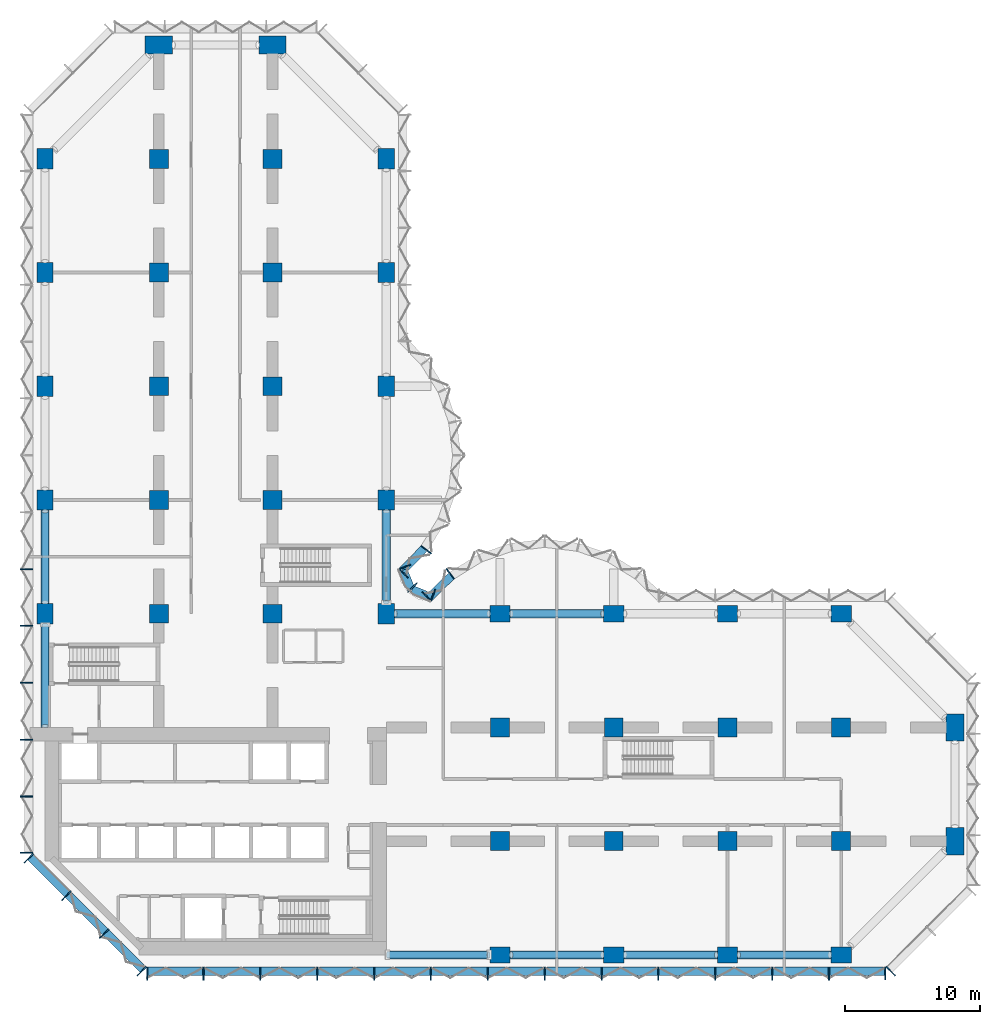
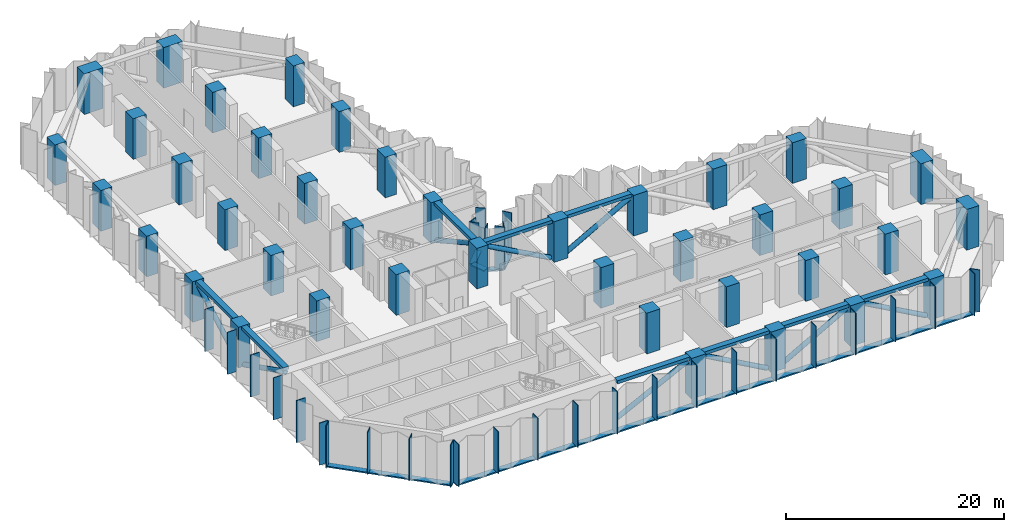
# One storey, part 1 of 18: 47 members, 40 columns, 9 beams, 7 elements without a shape of their own.
"""IFC4 building model written with IfcOpenShell, lengths in metres."""

from ifc_helpers import new_model, si_unit, direction, frame, origin, origin_2d, place, context, subcontext, project, spatial, rectangle, hollow_circle, extrude, material, material_profile, profile_set, type_object, element, aggregate, save


model = new_model("IFC4")

# Units and contexts
model_context = context("Model", 3, precision=1e-05, world=origin(), true_north=direction((0.0, 1.0)))
body_context = subcontext(model_context, "Body", "Model", "MODEL_VIEW")
ifc_project = project(units=[si_unit("LENGTHUNIT", "METRE"), si_unit("AREAUNIT", "SQUARE_METRE"), si_unit("VOLUMEUNIT", "CUBIC_METRE"), si_unit("PLANEANGLEUNIT", "RADIAN"), si_unit("MASSUNIT", "GRAM", prefix="KILO")], contexts=[model_context])

# Site, building, storey
site_placement = place(None, origin())
site = spatial("IfcSite", under=ifc_project, at=site_placement, CompositionType="ELEMENT")
building_placement = place(site_placement, origin())
building = spatial("IfcBuilding", under=site, at=building_placement, Name="Brevane Broadcast Tower", CompositionType="ELEMENT")
storey_placement = place(building_placement, frame((0.0, 0.0, 86.89990234375)))
storey = spatial("IfcBuildingStorey", under=building, at=storey_placement, Name="L20", CompositionType="ELEMENT", Elevation=86.89990234375)

# Columns
ifc_material_1 = material(Name="Concrete C80/95", Category="concrete")
ifc_material_profile_1 = material_profile(ifc_material_1, rectangle(XDim=1.199951171875, YDim=1.5, at=origin_2d()), Name="RC 1200x1500")
ifc_profile_set_1 = profile_set([ifc_material_profile_1], Name="Concrete C80/95")
column_type_1 = type_object("IfcColumnType", Name="RC COLUMN EDGE 1200x1500 C80/95", PredefinedType="COLUMN", material=ifc_profile_set_1)
for number, where, z_axis, x_axis, name in (
    (1, (0.0, 25.199951171875, 0.0), (0.0, 0.0, 1.0), (1.0, 0.0, 0.0), "CE5 1/D"),
    (2, (0.0, 33.60009765625, 0.0), (0.0, 0.0, 1.0), (1.0, 0.0, 0.0), "CE5 1/E"),
    (3, (0.0, 42.0, 0.0), (0.0, 0.0, 1.0), (1.0, 0.0, 0.0), "CE5 1/F"),
    (4, (0.0, 50.39990234375, 0.0), (0.0, 0.0, 1.0), (1.0, 0.0, 0.0), "CE5 1/G"),
    (5, (0.0, 58.800048828125, 0.0), (0.0, 0.0, 1.0), (1.0, 0.0, 0.0), "CE5 1/H"),
    (6, (25.199951171875, 25.199951171875, 0.0), (0.0, 0.0, 1.0), (1.0, 0.0, 0.0), "CE5 4/D"),
    (7, (25.199951171875, 33.60009765625, 0.0), (0.0, 0.0, 1.0), (1.0, 0.0, 0.0), "CE5 4/E"),
    (8, (25.199951171875, 42.0, 0.0), (0.0, 0.0, 1.0), (1.0, 0.0, 0.0), "CE5 4/F"),
    (9, (25.199951171875, 50.39990234375, 0.0), (0.0, 0.0, 1.0), (1.0, 0.0, 0.0), "CE5 4/G"),
    (10, (25.199951171875, 58.800048828125, 0.0), (0.0, 0.0, 1.0), (1.0, 0.0, 0.0), "CE5 4/H"),
    (11, (33.60009765625, 0.0, 0.0), (0.0, 0.0, 1.0), (0.0, 1.0, 0.0), "CE5 5/A"),
    (12, (33.60009765625, 25.199951171875, 0.0), (0.0, 0.0, 1.0), (0.0, 1.0, 0.0), "CE5 5/D"),
    (13, (42.0, 0.0, 0.0), (0.0, 0.0, 1.0), (0.0, 1.0, 0.0), "CE5 6/A"),
    (14, (42.0, 25.199951171875, 0.0), (0.0, 0.0, 1.0), (0.0, 1.0, 0.0), "CE5 6/D"),
    (15, (50.39990234375, 0.0, 0.0), (0.0, 0.0, 1.0), (0.0, 1.0, 0.0), "CE5 7/A"),
    (16, (50.39990234375, 25.199951171875, 0.0), (0.0, 0.0, 1.0), (0.0, 1.0, 0.0), "CE5 7/D"),
    (17, (58.800048828125, 0.0, 0.0), (0.0, 0.0, 1.0), (0.0, 1.0, 0.0), "CE5 8/A"),
    (18, (58.800048828125, 25.199951171875, 0.0), (0.0, 0.0, 1.0), (0.0, 1.0, 0.0), "CE5 8/D"),
):
    element("IfcColumn", number, at=place(storey_placement, frame(where, z_axis=z_axis, x_axis=x_axis)), inside=storey, type_object=column_type_1, Name=name, PredefinedType="COLUMN", context=body_context, shape_type="SweptSolid", body=[
        extrude(rectangle(XDim=1.199951171875, YDim=1.5, at=origin_2d()), origin(), (0.0, 0.0, 1.0), 4.550048828125),
    ])
ifc_material_profile_2 = material_profile(ifc_material_1, rectangle(XDim=1.39990234375, YDim=1.39990234375, at=origin_2d()), Name="RC 1400x1400")
ifc_profile_set_2 = profile_set([ifc_material_profile_2], Name="Concrete C80/95")
column_type_2 = type_object("IfcColumnType", Name="RC COLUMN INTERIOR 1400x1400 C80/95", PredefinedType="COLUMN", material=ifc_profile_set_2)
for number, where, z_axis, x_axis, name in (
    (19, (8.39990234375, 25.199951171875, 0.0), (0.0, 0.0, 1.0), (1.0, 0.0, 0.0), "CI6 2/D"),
    (20, (8.39990234375, 33.60009765625, 0.0), (0.0, 0.0, 1.0), (1.0, 0.0, 0.0), "CI6 2/E"),
    (21, (8.39990234375, 42.0, 0.0), (0.0, 0.0, 1.0), (1.0, 0.0, 0.0), "CI6 2/F"),
    (22, (8.39990234375, 50.39990234375, 0.0), (0.0, 0.0, 1.0), (1.0, 0.0, 0.0), "CI6 2/G"),
    (23, (8.39990234375, 58.800048828125, 0.0), (0.0, 0.0, 1.0), (1.0, 0.0, 0.0), "CI6 2/H"),
    (24, (16.800048828125, 25.199951171875, 0.0), (0.0, 0.0, 1.0), (1.0, 0.0, 0.0), "CI6 3/D"),
    (25, (16.800048828125, 33.60009765625, 0.0), (0.0, 0.0, 1.0), (1.0, 0.0, 0.0), "CI6 3/E"),
    (26, (16.800048828125, 42.0, 0.0), (0.0, 0.0, 1.0), (1.0, 0.0, 0.0), "CI6 3/F"),
    (27, (16.800048828125, 50.39990234375, 0.0), (0.0, 0.0, 1.0), (1.0, 0.0, 0.0), "CI6 3/G"),
    (28, (16.800048828125, 58.800048828125, 0.0), (0.0, 0.0, 1.0), (1.0, 0.0, 0.0), "CI6 3/H"),
    (29, (33.60009765625, 8.39990234375, 0.0), (0.0, 0.0, 1.0), (1.0, 0.0, 0.0), "CI6 5/B"),
    (30, (33.60009765625, 16.800048828125, 0.0), (0.0, 0.0, 1.0), (1.0, 0.0, 0.0), "CI6 5/C"),
    (31, (42.0, 8.39990234375, 0.0), (0.0, 0.0, 1.0), (1.0, 0.0, 0.0), "CI6 6/B"),
    (32, (42.0, 16.800048828125, 0.0), (0.0, 0.0, 1.0), (1.0, 0.0, 0.0), "CI6 6/C"),
    (33, (50.39990234375, 8.39990234375, 0.0), (0.0, 0.0, 1.0), (1.0, 0.0, 0.0), "CI6 7/B"),
    (34, (50.39990234375, 16.800048828125, 0.0), (0.0, 0.0, 1.0), (1.0, 0.0, 0.0), "CI6 7/C"),
    (35, (58.800048828125, 8.39990234375, 0.0), (0.0, 0.0, 1.0), (1.0, 0.0, 0.0), "CI6 8/B"),
    (36, (58.800048828125, 16.800048828125, 0.0), (0.0, 0.0, 1.0), (1.0, 0.0, 0.0), "CI6 8/C"),
):
    element("IfcColumn", number, at=place(storey_placement, frame(where, z_axis=z_axis, x_axis=x_axis)), inside=storey, type_object=column_type_2, Name=name, PredefinedType="COLUMN", context=body_context, shape_type="SweptSolid", body=[
        extrude(rectangle(XDim=1.39990234375, YDim=1.39990234375, at=origin_2d()), origin(), (0.0, 0.0, 1.0), 4.550048828125),
    ])
ifc_material_profile_3 = material_profile(ifc_material_1, rectangle(XDim=1.300048828125, YDim=2.0, at=origin_2d()), Name="RC 1300x2000")
ifc_profile_set_3 = profile_set([ifc_material_profile_3], Name="Concrete C80/95")
column_type_3 = type_object("IfcColumnType", Name="RC COLUMN WING-END 1300x2000 C80/95", PredefinedType="COLUMN", material=ifc_profile_set_3)
for number, where, z_axis, x_axis, name in (
    (37, (8.39990234375, 67.199951171875, 0.0), (0.0, 0.0, 1.0), (0.0, 1.0, 0.0), "CW7 2/I"),
    (38, (16.800048828125, 67.199951171875, 0.0), (0.0, 0.0, 1.0), (0.0, 1.0, 0.0), "CW7 3/I"),
    (39, (67.199951171875, 8.39990234375, 0.0), (0.0, 0.0, 1.0), (1.0, 0.0, 0.0), "CW7 9/B"),
    (40, (67.199951171875, 16.800048828125, 0.0), (0.0, 0.0, 1.0), (1.0, 0.0, 0.0), "CW7 9/C"),
):
    element("IfcColumn", number, at=place(storey_placement, frame(where, z_axis=z_axis, x_axis=x_axis)), inside=storey, type_object=column_type_3, Name=name, PredefinedType="COLUMN", context=body_context, shape_type="SweptSolid", body=[
        extrude(rectangle(XDim=1.300048828125, YDim=2.0, at=origin_2d()), origin(), (0.0, 0.0, 1.0), 4.550048828125),
    ])

# Curtain wall, members
ifc_material_2 = material(Name="Aluminium 6063-T6 bronze anodised", Category="aluminium")
curtain_wall_type = type_object("IfcCurtainWallType", Name="CW-3 curtain wall", PredefinedType="NOTDEFINED", material=ifc_material_2)
curtain_wall_1_placement = place(storey_placement, origin())
curtain_wall_1 = element("IfcCurtainWall", 41, at=curtain_wall_1_placement, inside=storey, type_object=curtain_wall_type, Name="CW-3 refuge louvre unit L20 south face", PredefinedType="NOTDEFINED")
ifc_material_profile_4 = material_profile(ifc_material_2, rectangle(XDim=0.949951171875, YDim=0.080078125, at=origin_2d()), Name="RECT 80x950")
ifc_profile_set_4 = profile_set([ifc_material_profile_4], Name="Aluminium 6063-T6 bronze anodised")
member_type_1 = type_object("IfcMemberType", Name="CW-3 mullion 80x950", PredefinedType="MULLION", material=ifc_profile_set_4)
member_1_placement = place(storey_placement, frame((7.5400390625, -1.375, -0.159912109375), z_axis=(0.0, 0.0, 1.0), x_axis=(0.0, 1.0, 0.0)))
member_1 = element("IfcMember", 42, at=member_1_placement, type_object=member_type_1, Name="CW-3 mullion", PredefinedType="MULLION", context=body_context, shape_type="SweptSolid", body=[
    extrude(rectangle(XDim=0.949951171875, YDim=0.080078125, at=origin_2d()), origin(), (0.0, 0.0, 1.0), 4.7099609375),
])
member_2_placement = place(storey_placement, frame((11.699951171875, -1.375, -0.159912109375), z_axis=(0.0, 0.0, 1.0), x_axis=(0.0, 1.0, 0.0)))
member_2 = element("IfcMember", 43, at=member_2_placement, type_object=member_type_1, Name="CW-3 mullion", PredefinedType="MULLION", context=body_context, shape_type="SweptSolid", body=[
    extrude(rectangle(XDim=0.949951171875, YDim=0.080078125, at=origin_2d()), origin(), (0.0, 0.0, 1.0), 4.7099609375),
])
member_3_placement = place(storey_placement, frame((15.89990234375, -1.375, -0.159912109375), z_axis=(0.0, 0.0, 1.0), x_axis=(0.0, 1.0, 0.0)))
member_3 = element("IfcMember", 44, at=member_3_placement, type_object=member_type_1, Name="CW-3 mullion", PredefinedType="MULLION", context=body_context, shape_type="SweptSolid", body=[
    extrude(rectangle(XDim=0.949951171875, YDim=0.080078125, at=origin_2d()), origin(), (0.0, 0.0, 1.0), 4.7099609375),
])
member_4_placement = place(storey_placement, frame((20.10009765625, -1.375, -0.159912109375), z_axis=(0.0, 0.0, 1.0), x_axis=(0.0, 1.0, 0.0)))
member_4 = element("IfcMember", 45, at=member_4_placement, type_object=member_type_1, Name="CW-3 mullion", PredefinedType="MULLION", context=body_context, shape_type="SweptSolid", body=[
    extrude(rectangle(XDim=0.949951171875, YDim=0.080078125, at=origin_2d()), origin(), (0.0, 0.0, 1.0), 4.7099609375),
])
member_5_placement = place(storey_placement, frame((24.300048828125, -1.375, -0.159912109375), z_axis=(0.0, 0.0, 1.0), x_axis=(0.0, 1.0, 0.0)))
member_5 = element("IfcMember", 46, at=member_5_placement, type_object=member_type_1, Name="CW-3 mullion", PredefinedType="MULLION", context=body_context, shape_type="SweptSolid", body=[
    extrude(rectangle(XDim=0.949951171875, YDim=0.080078125, at=origin_2d()), origin(), (0.0, 0.0, 1.0), 4.7099609375),
])
member_6_placement = place(storey_placement, frame((28.5, -1.375, -0.159912109375), z_axis=(0.0, 0.0, 1.0), x_axis=(0.0, 1.0, 0.0)))
member_6 = element("IfcMember", 47, at=member_6_placement, type_object=member_type_1, Name="CW-3 mullion", PredefinedType="MULLION", context=body_context, shape_type="SweptSolid", body=[
    extrude(rectangle(XDim=0.949951171875, YDim=0.080078125, at=origin_2d()), origin(), (0.0, 0.0, 1.0), 4.7099609375),
])
member_7_placement = place(storey_placement, frame((32.699951171875, -1.375, -0.159912109375), z_axis=(0.0, 0.0, 1.0), x_axis=(0.0, 1.0, 0.0)))
member_7 = element("IfcMember", 48, at=member_7_placement, type_object=member_type_1, Name="CW-3 mullion", PredefinedType="MULLION", context=body_context, shape_type="SweptSolid", body=[
    extrude(rectangle(XDim=0.949951171875, YDim=0.080078125, at=origin_2d()), origin(), (0.0, 0.0, 1.0), 4.7099609375),
])
member_8_placement = place(storey_placement, frame((36.89990234375, -1.375, -0.159912109375), z_axis=(0.0, 0.0, 1.0), x_axis=(0.0, 1.0, 0.0)))
member_8 = element("IfcMember", 49, at=member_8_placement, type_object=member_type_1, Name="CW-3 mullion", PredefinedType="MULLION", context=body_context, shape_type="SweptSolid", body=[
    extrude(rectangle(XDim=0.949951171875, YDim=0.080078125, at=origin_2d()), origin(), (0.0, 0.0, 1.0), 4.7099609375),
])
member_9_placement = place(storey_placement, frame((41.10009765625, -1.375, -0.159912109375), z_axis=(0.0, 0.0, 1.0), x_axis=(0.0, 1.0, 0.0)))
member_9 = element("IfcMember", 50, at=member_9_placement, type_object=member_type_1, Name="CW-3 mullion", PredefinedType="MULLION", context=body_context, shape_type="SweptSolid", body=[
    extrude(rectangle(XDim=0.949951171875, YDim=0.080078125, at=origin_2d()), origin(), (0.0, 0.0, 1.0), 4.7099609375),
])
member_10_placement = place(storey_placement, frame((45.300048828125, -1.375, -0.159912109375), z_axis=(0.0, 0.0, 1.0), x_axis=(0.0, 1.0, 0.0)))
member_10 = element("IfcMember", 51, at=member_10_placement, type_object=member_type_1, Name="CW-3 mullion", PredefinedType="MULLION", context=body_context, shape_type="SweptSolid", body=[
    extrude(rectangle(XDim=0.949951171875, YDim=0.080078125, at=origin_2d()), origin(), (0.0, 0.0, 1.0), 4.7099609375),
])
member_11_placement = place(storey_placement, frame((49.5, -1.375, -0.159912109375), z_axis=(0.0, 0.0, 1.0), x_axis=(0.0, 1.0, 0.0)))
member_11 = element("IfcMember", 52, at=member_11_placement, type_object=member_type_1, Name="CW-3 mullion", PredefinedType="MULLION", context=body_context, shape_type="SweptSolid", body=[
    extrude(rectangle(XDim=0.949951171875, YDim=0.080078125, at=origin_2d()), origin(), (0.0, 0.0, 1.0), 4.7099609375),
])
member_12_placement = place(storey_placement, frame((53.699951171875, -1.375, -0.159912109375), z_axis=(0.0, 0.0, 1.0), x_axis=(0.0, 1.0, 0.0)))
member_12 = element("IfcMember", 53, at=member_12_placement, type_object=member_type_1, Name="CW-3 mullion", PredefinedType="MULLION", context=body_context, shape_type="SweptSolid", body=[
    extrude(rectangle(XDim=0.949951171875, YDim=0.080078125, at=origin_2d()), origin(), (0.0, 0.0, 1.0), 4.7099609375),
])
member_13_placement = place(storey_placement, frame((57.89990234375, -1.375, -0.159912109375), z_axis=(0.0, 0.0, 1.0), x_axis=(0.0, 1.0, 0.0)))
member_13 = element("IfcMember", 54, at=member_13_placement, type_object=member_type_1, Name="CW-3 mullion", PredefinedType="MULLION", context=body_context, shape_type="SweptSolid", body=[
    extrude(rectangle(XDim=0.949951171875, YDim=0.080078125, at=origin_2d()), origin(), (0.0, 0.0, 1.0), 4.7099609375),
])
member_14_placement = place(storey_placement, frame((62.06005859375, -1.375, -0.159912109375), z_axis=(0.0, 0.0, 1.0), x_axis=(0.0, 1.0, 0.0)))
member_14 = element("IfcMember", 55, at=member_14_placement, type_object=member_type_1, Name="CW-3 mullion", PredefinedType="MULLION", context=body_context, shape_type="SweptSolid", body=[
    extrude(rectangle(XDim=0.949951171875, YDim=0.080078125, at=origin_2d()), origin(), (0.0, 0.0, 1.0), 4.7099609375),
])

# Curtain wall, member
curtain_wall_2_placement = place(storey_placement, origin())
curtain_wall_2 = element("IfcCurtainWall", 56, at=curtain_wall_2_placement, inside=storey, type_object=curtain_wall_type, Name="CW-3 refuge louvre unit L20 south-east chamfer", PredefinedType="NOTDEFINED")
member_15_placement = place(storey_placement, frame((62.464111328125, -1.20751953125, -0.159912109375), z_axis=(0.0, 0.0, 1.0), x_axis=(-0.707106781187, 0.707106781187, 0.0)))
member_15 = element("IfcMember", 57, at=member_15_placement, type_object=member_type_1, Name="CW-3 mullion", PredefinedType="MULLION", context=body_context, shape_type="SweptSolid", body=[
    extrude(rectangle(XDim=0.949951171875, YDim=0.080078125, at=origin_2d()), origin(), (0.0, 0.0, 1.0), 4.7099609375),
])
aggregate(curtain_wall_2, [member_15])

# Curtain wall, members
curtain_wall_3_placement = place(storey_placement, origin())
curtain_wall_3 = element("IfcCurtainWall", 58, at=curtain_wall_3_placement, inside=storey, type_object=curtain_wall_type, Name="CW-3 refuge louvre unit L20 east bow", PredefinedType="NOTDEFINED")
member_16_placement = place(storey_placement, frame((29.927978515625, 28.1455078125, -0.159912109375), z_axis=(0.0, 0.0, 1.0), x_axis=(0.614769738617, -0.788706642853, 0.0)))
member_16 = element("IfcMember", 59, at=member_16_placement, type_object=member_type_1, Name="CW-3 mullion", PredefinedType="MULLION", context=body_context, shape_type="SweptSolid", body=[
    extrude(rectangle(XDim=0.949951171875, YDim=0.080078125, at=origin_2d()), origin(), (0.0, 0.0, 1.0), 4.7099609375),
])
member_17_placement = place(storey_placement, frame((28.19775390625, 26.468505859375, -0.159912109375), z_axis=(0.0, 0.0, 1.0), x_axis=(0.696811941702, -0.717253872699, 0.0)))
member_17 = element("IfcMember", 60, at=member_17_placement, type_object=member_type_1, Name="CW-3 mullion", PredefinedType="MULLION", context=body_context, shape_type="SweptSolid", body=[
    extrude(rectangle(XDim=0.949951171875, YDim=0.080078125, at=origin_2d()), origin(), (0.0, 0.0, 1.0), 4.7099609375),
])

curtain_wall_4_placement = place(storey_placement, origin())
curtain_wall_4 = element("IfcCurtainWall", 61, at=curtain_wall_4_placement, inside=storey, type_object=curtain_wall_type, Name="CW-3 refuge louvre unit L20 inner corner", PredefinedType="NOTDEFINED")
member_18_placement = place(storey_placement, frame((28.644775390625, 26.55419921875, -0.159912109375), z_axis=(0.0, 0.0, 1.0), x_axis=(-0.382683612978, -0.923879457699, 0.0)))
member_18 = element("IfcMember", 62, at=member_18_placement, type_object=member_type_1, Name="CW-3 mullion", PredefinedType="MULLION", context=body_context, shape_type="SweptSolid", body=[
    extrude(rectangle(XDim=0.949951171875, YDim=0.080078125, at=origin_2d()), origin(), (0.0, 0.0, 1.0), 4.7099609375),
])
member_19_placement = place(storey_placement, frame((27.138916015625, 27.138916015625, -0.159912109375), z_axis=(0.0, 0.0, 1.0), x_axis=(-0.707106781187, -0.707106781187, 0.0)))
member_19 = element("IfcMember", 63, at=member_19_placement, type_object=member_type_1, Name="CW-3 mullion", PredefinedType="MULLION", context=body_context, shape_type="SweptSolid", body=[
    extrude(rectangle(XDim=0.949951171875, YDim=0.080078125, at=origin_2d()), origin(), (0.0, 0.0, 1.0), 4.7099609375),
])
member_20_placement = place(storey_placement, frame((26.55419921875, 28.644775390625, -0.159912109375), z_axis=(0.0, 0.0, 1.0), x_axis=(-0.923879457699, -0.382683612978, 0.0)))
member_20 = element("IfcMember", 64, at=member_20_placement, type_object=member_type_1, Name="CW-3 mullion", PredefinedType="MULLION", context=body_context, shape_type="SweptSolid", body=[
    extrude(rectangle(XDim=0.949951171875, YDim=0.080078125, at=origin_2d()), origin(), (0.0, 0.0, 1.0), 4.7099609375),
])

curtain_wall_5_placement = place(storey_placement, origin())
curtain_wall_5 = element("IfcCurtainWall", 65, at=curtain_wall_5_placement, inside=storey, type_object=curtain_wall_type, Name="CW-3 refuge louvre unit L20 north bow", PredefinedType="NOTDEFINED")
member_21_placement = place(storey_placement, frame((26.468505859375, 28.19775390625, -0.159912109375), z_axis=(0.0, 0.0, 1.0), x_axis=(-0.717253872699, 0.696811941702, 0.0)))
member_21 = element("IfcMember", 66, at=member_21_placement, type_object=member_type_1, Name="CW-3 mullion", PredefinedType="MULLION", context=body_context, shape_type="SweptSolid", body=[
    extrude(rectangle(XDim=0.949951171875, YDim=0.080078125, at=origin_2d()), origin(), (0.0, 0.0, 1.0), 4.7099609375),
])
member_22_placement = place(storey_placement, frame((28.1455078125, 29.927978515625, -0.159912109375), z_axis=(0.0, 0.0, 1.0), x_axis=(-0.788706642853, 0.614769738617, 0.0)))
member_22 = element("IfcMember", 67, at=member_22_placement, type_object=member_type_1, Name="CW-3 mullion", PredefinedType="MULLION", context=body_context, shape_type="SweptSolid", body=[
    extrude(rectangle(XDim=0.949951171875, YDim=0.080078125, at=origin_2d()), origin(), (0.0, 0.0, 1.0), 4.7099609375),
])

curtain_wall_6_placement = place(storey_placement, origin())
curtain_wall_6 = element("IfcCurtainWall", 68, at=curtain_wall_6_placement, inside=storey, type_object=curtain_wall_type, Name="CW-3 refuge louvre unit L20 west face", PredefinedType="NOTDEFINED")
member_23_placement = place(storey_placement, frame((-1.375, 28.5, -0.159912109375), z_axis=(0.0, 0.0, 1.0), x_axis=(1.0, 0.0, 0.0)))
member_23 = element("IfcMember", 69, at=member_23_placement, type_object=member_type_1, Name="CW-3 mullion", PredefinedType="MULLION", context=body_context, shape_type="SweptSolid", body=[
    extrude(rectangle(XDim=0.949951171875, YDim=0.080078125, at=origin_2d()), origin(), (0.0, 0.0, 1.0), 4.7099609375),
])
member_24_placement = place(storey_placement, frame((-1.375, 24.300048828125, -0.159912109375), z_axis=(0.0, 0.0, 1.0), x_axis=(1.0, 0.0, 0.0)))
member_24 = element("IfcMember", 70, at=member_24_placement, type_object=member_type_1, Name="CW-3 mullion", PredefinedType="MULLION", context=body_context, shape_type="SweptSolid", body=[
    extrude(rectangle(XDim=0.949951171875, YDim=0.080078125, at=origin_2d()), origin(), (0.0, 0.0, 1.0), 4.7099609375),
])
member_25_placement = place(storey_placement, frame((-1.375, 20.10009765625, -0.159912109375), z_axis=(0.0, 0.0, 1.0), x_axis=(1.0, 0.0, 0.0)))
member_25 = element("IfcMember", 71, at=member_25_placement, type_object=member_type_1, Name="CW-3 mullion", PredefinedType="MULLION", context=body_context, shape_type="SweptSolid", body=[
    extrude(rectangle(XDim=0.949951171875, YDim=0.080078125, at=origin_2d()), origin(), (0.0, 0.0, 1.0), 4.7099609375),
])
member_26_placement = place(storey_placement, frame((-1.375, 15.89990234375, -0.159912109375), z_axis=(0.0, 0.0, 1.0), x_axis=(1.0, 0.0, 0.0)))
member_26 = element("IfcMember", 72, at=member_26_placement, type_object=member_type_1, Name="CW-3 mullion", PredefinedType="MULLION", context=body_context, shape_type="SweptSolid", body=[
    extrude(rectangle(XDim=0.949951171875, YDim=0.080078125, at=origin_2d()), origin(), (0.0, 0.0, 1.0), 4.7099609375),
])
member_27_placement = place(storey_placement, frame((-1.375, 11.699951171875, -0.159912109375), z_axis=(0.0, 0.0, 1.0), x_axis=(1.0, 0.0, 0.0)))
member_27 = element("IfcMember", 73, at=member_27_placement, type_object=member_type_1, Name="CW-3 mullion", PredefinedType="MULLION", context=body_context, shape_type="SweptSolid", body=[
    extrude(rectangle(XDim=0.949951171875, YDim=0.080078125, at=origin_2d()), origin(), (0.0, 0.0, 1.0), 4.7099609375),
])
member_28_placement = place(storey_placement, frame((-1.375, 7.5400390625, -0.159912109375), z_axis=(0.0, 0.0, 1.0), x_axis=(1.0, 0.0, 0.0)))
member_28 = element("IfcMember", 74, at=member_28_placement, type_object=member_type_1, Name="CW-3 mullion", PredefinedType="MULLION", context=body_context, shape_type="SweptSolid", body=[
    extrude(rectangle(XDim=0.949951171875, YDim=0.080078125, at=origin_2d()), origin(), (0.0, 0.0, 1.0), 4.7099609375),
])
aggregate(curtain_wall_6, [member_23, member_24, member_25, member_26, member_27, member_28])

curtain_wall_7_placement = place(storey_placement, origin())
curtain_wall_7 = element("IfcCurtainWall", 75, at=curtain_wall_7_placement, inside=storey, type_object=curtain_wall_type, Name="CW-3 refuge louvre unit L20 south-west chamfer", PredefinedType="NOTDEFINED")
member_29_placement = place(storey_placement, frame((-1.20751953125, 7.1357421875, -0.159912109375), z_axis=(0.0, 0.0, 1.0), x_axis=(0.707106781187, 0.707106781187, 0.0)))
member_29 = element("IfcMember", 76, at=member_29_placement, type_object=member_type_1, Name="CW-3 mullion", PredefinedType="MULLION", context=body_context, shape_type="SweptSolid", body=[
    extrude(rectangle(XDim=0.949951171875, YDim=0.080078125, at=origin_2d()), origin(), (0.0, 0.0, 1.0), 4.7099609375),
])
member_30_placement = place(storey_placement, frame((1.564208984375, 4.364013671875, -0.159912109375), z_axis=(0.0, 0.0, 1.0), x_axis=(0.707106781187, 0.707106781187, 0.0)))
member_30 = element("IfcMember", 77, at=member_30_placement, type_object=member_type_1, Name="CW-3 mullion", PredefinedType="MULLION", context=body_context, shape_type="SweptSolid", body=[
    extrude(rectangle(XDim=0.949951171875, YDim=0.080078125, at=origin_2d()), origin(), (0.0, 0.0, 1.0), 4.7099609375),
])
member_31_placement = place(storey_placement, frame((4.364013671875, 1.564208984375, -0.159912109375), z_axis=(0.0, 0.0, 1.0), x_axis=(0.707106781187, 0.707106781187, 0.0)))
member_31 = element("IfcMember", 78, at=member_31_placement, type_object=member_type_1, Name="CW-3 mullion", PredefinedType="MULLION", context=body_context, shape_type="SweptSolid", body=[
    extrude(rectangle(XDim=0.949951171875, YDim=0.080078125, at=origin_2d()), origin(), (0.0, 0.0, 1.0), 4.7099609375),
])
member_32_placement = place(storey_placement, frame((7.1357421875, -1.20751953125, -0.159912109375), z_axis=(0.0, 0.0, 1.0), x_axis=(0.707106781187, 0.707106781187, 0.0)))
member_32 = element("IfcMember", 79, at=member_32_placement, type_object=member_type_1, Name="CW-3 mullion", PredefinedType="MULLION", context=body_context, shape_type="SweptSolid", body=[
    extrude(rectangle(XDim=0.949951171875, YDim=0.080078125, at=origin_2d()), origin(), (0.0, 0.0, 1.0), 4.7099609375),
])

# Member
ifc_material_profile_5 = material_profile(ifc_material_2, rectangle(XDim=0.60009765625, YDim=0.139892578125, at=origin_2d()), Name="RECT 140x600")
ifc_profile_set_5 = profile_set([ifc_material_profile_5], Name="Aluminium 6063-T6 bronze anodised")
member_type_2 = type_object("IfcMemberType", Name="CW-3 transom 140x600", PredefinedType="USERDEFINED", material=ifc_profile_set_5)
member_33_placement = place(storey_placement, frame((7.5, -1.199951171875, -0.22998046875), z_axis=(1.0, 0.0, 0.0), x_axis=(0.0, 1.0, 0.0)))
member_33 = element("IfcMember", 80, at=member_33_placement, type_object=member_type_2, Name="CW-3 transom", ObjectType="TRANSOM", PredefinedType="USERDEFINED", context=body_context, shape_type="SweptSolid", body=[
    extrude(rectangle(XDim=0.60009765625, YDim=0.139892578125, at=origin_2d()), origin(), (0.0, 0.0, 1.0), 54.60009765625),
])

aggregate(curtain_wall_1, [member_1, member_2, member_3, member_4, member_5, member_6, member_7, member_8, member_9, member_10, member_11, member_12, member_13, member_14, member_33])

member_34_placement = place(storey_placement, frame((29.99951171875, 27.974365234375, -0.22998046875), z_axis=(-0.71724215871, -0.696823999134, 0.0), x_axis=(0.696823999134, -0.71724215871, 0.0)))
member_34 = element("IfcMember", 81, at=member_34_placement, type_object=member_type_2, Name="CW-3 transom", ObjectType="TRANSOM", PredefinedType="USERDEFINED", context=body_context, shape_type="SweptSolid", body=[
    extrude(rectangle(XDim=0.60009765625, YDim=0.139892578125, at=origin_2d()), origin(), (0.0, 0.0, 1.0), 2.247802734375),
])

aggregate(curtain_wall_3, [member_16, member_17, member_34])

member_35_placement = place(storey_placement, frame((28.528076171875, 26.40673828125, -0.22998046875), z_axis=(-0.923883243627, 0.382674472816, 0.0), x_axis=(-0.382674472816, -0.923883243627, 0.0)))
member_35 = element("IfcMember", 82, at=member_35_placement, type_object=member_type_2, Name="CW-3 transom", ObjectType="TRANSOM", PredefinedType="USERDEFINED", context=body_context, shape_type="SweptSolid", body=[
    extrude(rectangle(XDim=0.60009765625, YDim=0.139892578125, at=origin_2d()), origin(), (0.0, 0.0, 1.0), 1.536865234375),
])

member_36_placement = place(storey_placement, frame((27.039794921875, 27.0, -0.22998046875), z_axis=(-0.382674472816, 0.923883243627, 0.0), x_axis=(-0.923883243627, -0.382674472816, 0.0)))
member_36 = element("IfcMember", 83, at=member_36_placement, type_object=member_type_2, Name="CW-3 transom", ObjectType="TRANSOM", PredefinedType="USERDEFINED", context=body_context, shape_type="SweptSolid", body=[
    extrude(rectangle(XDim=0.60009765625, YDim=0.139892578125, at=origin_2d()), origin(), (0.0, 0.0, 1.0), 1.536865234375),
])

aggregate(curtain_wall_4, [member_18, member_19, member_20, member_35, member_36])

member_37_placement = place(storey_placement, frame((26.407958984375, 28.38720703125, -0.22998046875), z_axis=(0.696823999134, 0.71724215871, 0.0), x_axis=(-0.71724215871, 0.696823999134, 0.0)))
member_37 = element("IfcMember", 84, at=member_37_placement, type_object=member_type_2, Name="CW-3 transom", ObjectType="TRANSOM", PredefinedType="USERDEFINED", context=body_context, shape_type="SweptSolid", body=[
    extrude(rectangle(XDim=0.60009765625, YDim=0.139892578125, at=origin_2d()), origin(), (0.0, 0.0, 1.0), 2.247802734375),
])

aggregate(curtain_wall_5, [member_21, member_22, member_37])

member_38_placement = place(storey_placement, frame((-1.112060546875, 7.287841796875, -0.22998046875), z_axis=(0.707106781187, -0.707106781187, 0.0), x_axis=(0.707106781187, 0.707106781187, 0.0)))
member_38 = element("IfcMember", 85, at=member_38_placement, type_object=member_type_2, Name="CW-3 transom", ObjectType="TRANSOM", PredefinedType="USERDEFINED", context=body_context, shape_type="SweptSolid", body=[
    extrude(rectangle(XDim=0.60009765625, YDim=0.139892578125, at=origin_2d()), origin(), (0.0, 0.0, 1.0), 11.879150390625),
])

aggregate(curtain_wall_7, [member_29, member_30, member_31, member_32, member_38])

# Beams
ifc_material_3 = material(Name="Concrete C40/50", Category="concrete")
ifc_material_profile_6 = material_profile(ifc_material_3, rectangle(XDim=0.60009765625, YDim=0.35009765625, at=origin_2d()), Name="RC 600x350")
ifc_profile_set_6 = profile_set([ifc_material_profile_6], Name="Concrete C40/50")
beam_type = type_object("IfcBeamType", Name="RC SPANDREL BEAM 600x350 C40/50", PredefinedType="SPANDREL", material=ifc_profile_set_6)
beam_1_placement = place(storey_placement, frame((25.199951171875, 0.0, 4.375), z_axis=(1.0, 0.0, 0.0), x_axis=(0.0, 1.0, 0.0)))
element("IfcBeam", 86, at=beam_1_placement, inside=storey, type_object=beam_type, Name="EB1 L20-1", PredefinedType="SPANDREL", context=body_context, shape_type="SweptSolid", body=[
    extrude(rectangle(XDim=0.60009765625, YDim=0.35009765625, at=origin_2d()), origin(), (0.0, 0.0, 1.0), 7.650146484375),
])
for number, where, z_axis, x_axis, name in (
    (87, (34.35009765625, 0.0, 4.375), (1.0, 0.0, 0.0), (0.0, 1.0, 0.0), "EB1 L20-2"),
    (88, (42.75, 0.0, 4.375), (1.0, 0.0, 0.0), (0.0, 1.0, 0.0), "EB1 L20-3"),
):
    element("IfcBeam", number, at=place(storey_placement, frame(where, z_axis=z_axis, x_axis=x_axis)), inside=storey, type_object=beam_type, Name=name, PredefinedType="SPANDREL", context=body_context, shape_type="SweptSolid", body=[
        extrude(rectangle(XDim=0.60009765625, YDim=0.35009765625, at=origin_2d()), origin(), (0.0, 0.0, 1.0), 6.89990234375),
    ])
beam_2_placement = place(storey_placement, frame((51.14990234375, 0.0, 4.375), z_axis=(1.0, 0.0, 0.0), x_axis=(0.0, 1.0, 0.0)))
element("IfcBeam", 89, at=beam_2_placement, inside=storey, type_object=beam_type, Name="EB1 L20-4", PredefinedType="SPANDREL", context=body_context, shape_type="SweptSolid", body=[
    extrude(rectangle(XDim=0.60009765625, YDim=0.35009765625, at=origin_2d()), origin(), (0.0, 0.0, 1.0), 6.900146484375),
])
beam_3_placement = place(storey_placement, frame((41.25, 25.199951171875, 4.375), z_axis=(-1.0, 0.0, 0.0), x_axis=(0.0, -1.0, 0.0)))
element("IfcBeam", 90, at=beam_3_placement, inside=storey, type_object=beam_type, Name="EB1 L20-10", PredefinedType="SPANDREL", context=body_context, shape_type="SweptSolid", body=[
    extrude(rectangle(XDim=0.60009765625, YDim=0.35009765625, at=origin_2d()), origin(), (0.0, 0.0, 1.0), 6.89990234375),
])
beam_4_placement = place(storey_placement, frame((32.85009765625, 25.199951171875, 4.375), z_axis=(-1.0, 0.0, 0.0), x_axis=(0.0, -1.0, 0.0)))
element("IfcBeam", 91, at=beam_4_placement, inside=storey, type_object=beam_type, Name="EB1 L20-11", PredefinedType="SPANDREL", context=body_context, shape_type="SweptSolid", body=[
    extrude(rectangle(XDim=0.60009765625, YDim=0.35009765625, at=origin_2d()), origin(), (0.0, 0.0, 1.0), 7.050048828125),
])
for number, where, z_axis, x_axis, name in (
    (92, (25.199951171875, 25.949951171875, 4.375), (0.0, 1.0, 0.0), (-1.0, 0.0, 0.0), "EB1 L20-12"),
    (93, (0.0, 32.85009765625, 4.375), (0.0, -1.0, 0.0), (1.0, 0.0, 0.0), "EB1 L20-22"),
):
    element("IfcBeam", number, at=place(storey_placement, frame(where, z_axis=z_axis, x_axis=x_axis)), inside=storey, type_object=beam_type, Name=name, PredefinedType="SPANDREL", context=body_context, shape_type="SweptSolid", body=[
        extrude(rectangle(XDim=0.60009765625, YDim=0.35009765625, at=origin_2d()), origin(), (0.0, 0.0, 1.0), 6.900146484375),
    ])
beam_5_placement = place(storey_placement, frame((0.0, 24.449951171875, 4.375), z_axis=(0.0, -1.0, 0.0), x_axis=(1.0, 0.0, 0.0)))
element("IfcBeam", 94, at=beam_5_placement, inside=storey, type_object=beam_type, Name="EB1 L20-23", PredefinedType="SPANDREL", context=body_context, shape_type="SweptSolid", body=[
    extrude(rectangle(XDim=0.60009765625, YDim=0.35009765625, at=origin_2d()), origin(), (0.0, 0.0, 1.0), 7.64990234375),
])

# Members
ifc_material_4 = material(Name="Steel S355", Category="steel")
ifc_material_profile_7 = material_profile(ifc_material_4, hollow_circle(Radius=0.25390625, WallThickness=0.01611328125, at=origin_2d()), Name="CHS 508x16")
ifc_profile_set_7 = profile_set([ifc_material_profile_7], Name="Steel S355")
member_type_3 = type_object("IfcMemberType", Name="STEEL BELT TRUSS BRACE CHS 508x16 S355", PredefinedType="BRACE", material=ifc_profile_set_7)
member_39_placement = place(storey_placement, frame((25.31396484375, 0.0, 0.22705078125), z_axis=(0.893459139486, 0.0, 0.449144482399), x_axis=(0.0, 1.0, 0.0)))
element("IfcMember", 95, at=member_39_placement, inside=storey, type_object=member_type_3, Name="BT1 L20-1", PredefinedType="BRACE", context=body_context, shape_type="SweptSolid", body=[
    extrude(hollow_circle(Radius=0.25390625, WallThickness=0.01611328125, at=origin_2d()), origin(), (0.0, 0.0, 1.0), 8.340576171875),
])
for number, where, z_axis, x_axis, name in (
    (96, (41.156005859375, 0.0, 0.2216796875), (-0.872607751959, 0.0, 0.488421653104), (0.0, -1.0, 0.0), "BT1 L20-2"),
    (97, (42.843994140625, 0.0, 0.2216796875), (0.872607751959, 0.0, 0.488421653104), (0.0, 1.0, 0.0), "BT1 L20-3"),
    (98, (57.9560546875, 0.0, 0.2216796875), (-0.872607751959, 0.0, 0.488421653104), (0.0, -1.0, 0.0), "BT1 L20-4"),
    (99, (34.444091796875, 25.199951171875, 0.2216796875), (0.872607751959, 0.0, 0.488421653104), (0.0, 1.0, 0.0), "BT1 L20-10"),
):
    element("IfcMember", number, at=place(storey_placement, frame(where, z_axis=z_axis, x_axis=x_axis)), inside=storey, type_object=member_type_3, Name=name, PredefinedType="BRACE", context=body_context, shape_type="SweptSolid", body=[
        extrude(hollow_circle(Radius=0.25390625, WallThickness=0.01611328125, at=origin_2d()), origin(), (0.0, 0.0, 1.0), 7.69189453125),
    ])
member_40_placement = place(storey_placement, frame((32.758056640625, 25.199951171875, 0.222900390625), z_axis=(-0.877401508704, 0.0, 0.479756805605), x_axis=(0.0, -1.0, 0.0)))
element("IfcMember", 100, at=member_40_placement, inside=storey, type_object=member_type_3, Name="BT1 L20-11", PredefinedType="BRACE", context=body_context, shape_type="SweptSolid", body=[
    extrude(hollow_circle(Radius=0.25390625, WallThickness=0.01611328125, at=origin_2d()), origin(), (0.0, 0.0, 1.0), 7.82568359375),
])
for number, where, z_axis, x_axis, name in (
    (101, (25.199951171875, 32.755859375, 0.2216796875), (0.0, -0.872607751959, 0.488421653104), (1.0, 0.0, 0.0), "BT1 L20-12"),
    (102, (0.0, 26.0439453125, 0.2216796875), (0.0, 0.872607751959, 0.488421653104), (-1.0, 0.0, 0.0), "BT1 L20-22"),
):
    element("IfcMember", number, at=place(storey_placement, frame(where, z_axis=z_axis, x_axis=x_axis)), inside=storey, type_object=member_type_3, Name=name, PredefinedType="BRACE", context=body_context, shape_type="SweptSolid", body=[
        extrude(hollow_circle(Radius=0.25390625, WallThickness=0.01611328125, at=origin_2d()), origin(), (0.0, 0.0, 1.0), 7.69189453125),
    ])
member_41_placement = place(storey_placement, frame((0.0, 24.365966796875, 0.22705078125), z_axis=(0.0, -0.893459139486, 0.449144482399), x_axis=(1.0, 0.0, 0.0)))
element("IfcMember", 103, at=member_41_placement, inside=storey, type_object=member_type_3, Name="BT1 L20-23", PredefinedType="BRACE", context=body_context, shape_type="SweptSolid", body=[
    extrude(hollow_circle(Radius=0.25390625, WallThickness=0.01611328125, at=origin_2d()), origin(), (0.0, 0.0, 1.0), 8.340576171875),
])

save(model, "model.ifc")
